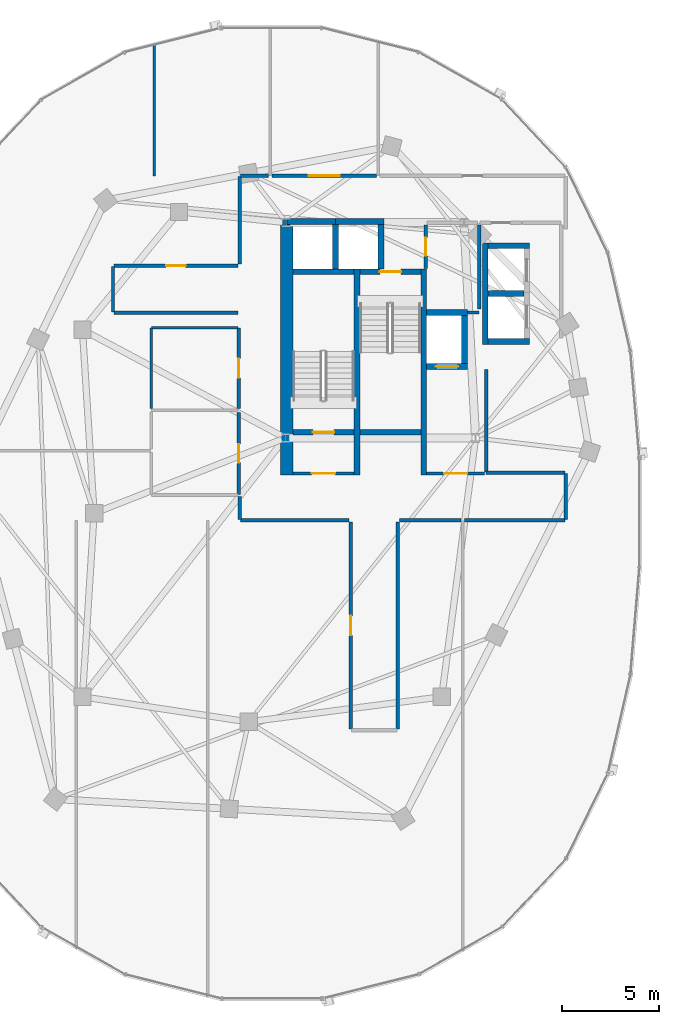
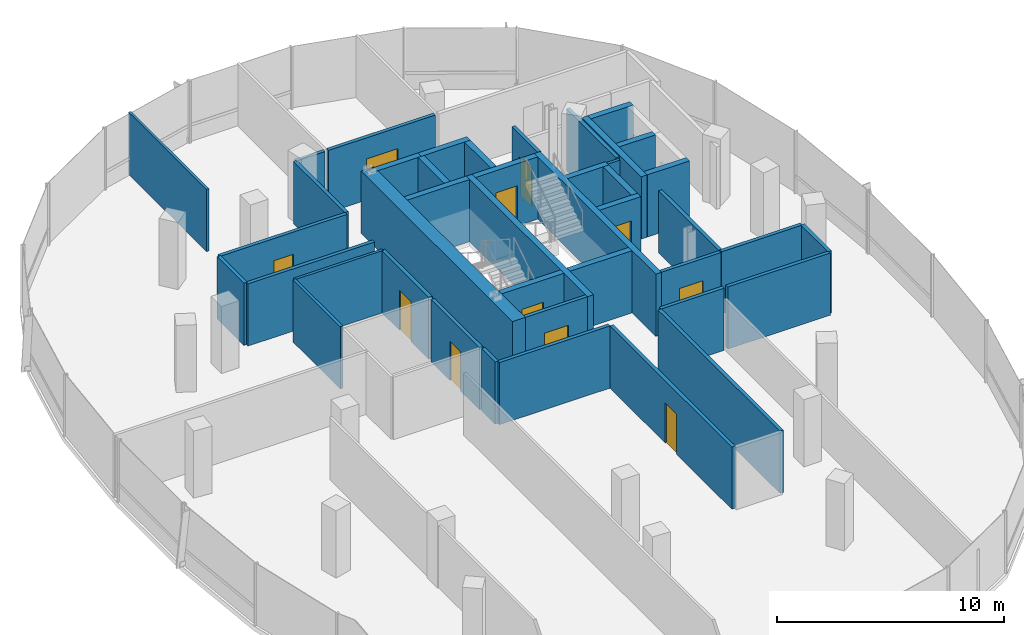
# One storey, part 15 of 25: 43 walls, 11 doors, 11 openings.
"""IFC4 building model written with IfcOpenShell, lengths in metres."""

from ifc_helpers import new_model, si_unit, direction, frame, frame_2d, origin, place, context, subcontext, project, spatial, rectangle, extrude, material, layer, layer_set, type_object, element, fill, save


model = new_model("IFC4")

# Units and contexts
model_context = context("Model", 3, precision=1e-05, world=origin(), true_north=direction((0.0, 1.0)))
body_context = subcontext(model_context, "Body", "Model", "MODEL_VIEW")
ifc_project = project(units=[si_unit("LENGTHUNIT", "METRE"), si_unit("AREAUNIT", "SQUARE_METRE"), si_unit("VOLUMEUNIT", "CUBIC_METRE"), si_unit("PLANEANGLEUNIT", "RADIAN"), si_unit("MASSUNIT", "GRAM", prefix="KILO"), si_unit("THERMODYNAMICTEMPERATUREUNIT", "KELVIN"), si_unit("POWERUNIT", "WATT")], contexts=[model_context])

# Site, building, storey
site_placement = place(None, origin())
site = spatial("IfcSite", under=ifc_project, at=site_placement, CompositionType="ELEMENT")
building_placement = place(site_placement, origin())
building = spatial("IfcBuilding", under=site, at=building_placement, Name="Cundina Bronze Exchange", CompositionType="ELEMENT")
storey_placement = place(building_placement, frame((0.0, 0.0, 195.39990234375)))
storey = spatial("IfcBuildingStorey", under=building, at=storey_placement, Name="L51", CompositionType="ELEMENT", Elevation=195.39990234375)

# Wall
ifc_material_1 = material(Name="Gypsum Fireboard Partition EI120")
ifc_layer_1 = layer(ifc_material_1, 0.179931640625, Name="Gypsum Fireboard Partition EI120")
ifc_layer_set_1 = layer_set([ifc_layer_1], Name="Gypsum Fireboard Partition EI120")
wall_type_1 = type_object("IfcWallType", Name="WL-COR-180", PredefinedType="PARTITIONING", material=ifc_layer_set_1)
wall_1_placement = place(storey_placement, frame((-20.889892578125, 2.14990234375, 0.0), z_axis=(0.0, 0.0, 1.0), x_axis=(0.0, 1.0, 0.0)))
element("IfcWall", 1, at=wall_1_placement, inside=storey, type_object=wall_type_1, Name="L51 W Firefighting Lobby Side Wall", PredefinedType="PARTITIONING", context=body_context, shape_type="SweptSolid", body=[
    extrude(rectangle(XDim=5.300048828125, YDim=0.179931640625, at=frame_2d((2.64990234375, 0.0))), origin(), (0.0, 0.0, 1.0), 3.340087890625),
])

# Wall, opening, door
wall_2_placement = place(storey_placement, frame((-23.97998046875, 2.06005859375, 0.0), z_axis=(0.0, 0.0, 1.0), x_axis=(1.0, 0.0, 0.0)))
wall_2 = element("IfcWall", 2, at=wall_2_placement, inside=storey, type_object=wall_type_1, Name="L51 W Firefighting Lobby Exit Wall", PredefinedType="PARTITIONING", context=body_context, shape_type="SweptSolid", body=[
    extrude(rectangle(XDim=3.0, YDim=0.179931640625, at=frame_2d((1.5, 0.0))), origin(), (0.0, 0.0, 1.0), 3.340087890625),
])
opening_1_placement = place(wall_2_placement, frame((0.89990234375, 0.0, 0.0)))
opening_1 = element("IfcOpeningElement", 3, at=opening_1_placement, cuts=wall_2, Name="Opening DF-01", PredefinedType="OPENING", context=body_context, shape_type="SweptSolid", body=[
    extrude(rectangle(XDim=1.199951171875, YDim=2.14990234375, at=frame_2d((0.60009765625, 1.074951171875))), frame((0.0, 0.099853515625, 0.0), z_axis=(0.0, -1.0, 0.0), x_axis=(1.0, 0.0, 0.0)), (0.0, 0.0, 1.0), 0.199951171875),
])
ifc_material_2 = material(Name="Steel ASTM A36 Painted", Category="steel")
door_type_1 = type_object("IfcDoorType", Name="DR-FFL-1200", OperationType="NOTDEFINED", PredefinedType="DOOR", material=ifc_material_2)
door_1_placement = place(opening_1_placement, origin())
door_1 = element("IfcDoor", 4, at=door_1_placement, inside=storey, type_object=door_type_1, Name="L51 W Firefighting Lobby Door", OperationType="SINGLE_SWING_RIGHT", OverallHeight=2.14990234375, OverallWidth=1.199951171875, PredefinedType="DOOR", context=body_context, shape_type="SweptSolid", body=[
    extrude(rectangle(XDim=1.199951171875, YDim=2.14990234375, at=frame_2d((0.60009765625, 1.074951171875))), frame((0.0, 0.02490234375, 0.0), z_axis=(0.0, -1.0, 0.0), x_axis=(1.0, 0.0, 0.0)), (0.0, 0.0, 1.0), 0.050048828125),
])
fill(opening_1, door_1)

wall_3_placement = place(storey_placement, frame((-30.89990234375, 2.06005859375, 0.0), z_axis=(0.0, 0.0, 1.0), x_axis=(1.0, 0.0, 0.0)))
wall_3 = element("IfcWall", 5, at=wall_3_placement, inside=storey, type_object=wall_type_1, Name="L51 W Stair Vestibule Exit Wall", PredefinedType="PARTITIONING", context=body_context, shape_type="SweptSolid", body=[
    extrude(rectangle(XDim=3.159912109375, YDim=0.179931640625, at=frame_2d((1.580078125, 0.0))), origin(), (0.0, 0.0, 1.0), 3.340087890625),
])
opening_2_placement = place(wall_3_placement, frame((0.97998046875, 0.0, 0.0)))
opening_2 = element("IfcOpeningElement", 6, at=opening_2_placement, cuts=wall_3, Name="Opening DF-01", PredefinedType="OPENING", context=body_context, shape_type="SweptSolid", body=[
    extrude(rectangle(XDim=1.199951171875, YDim=2.14990234375, at=frame_2d((0.60009765625, 1.074951171875))), frame((0.0, 0.099853515625, 0.0), z_axis=(0.0, -1.0, 0.0), x_axis=(1.0, 0.0, 0.0)), (0.0, 0.0, 1.0), 0.199951171875),
])
door_2_placement = place(opening_2_placement, origin())
door_2 = element("IfcDoor", 7, at=door_2_placement, inside=storey, type_object=door_type_1, Name="L51 W Stair Vestibule Door", OperationType="SINGLE_SWING_LEFT", OverallHeight=2.14990234375, OverallWidth=1.199951171875, PredefinedType="DOOR", context=body_context, shape_type="SweptSolid", body=[
    extrude(rectangle(XDim=1.199951171875, YDim=2.14990234375, at=frame_2d((0.60009765625, 1.074951171875))), frame((0.0, 0.02490234375, 0.0), z_axis=(0.0, -1.0, 0.0), x_axis=(1.0, 0.0, 0.0)), (0.0, 0.0, 1.0), 0.050048828125),
])
fill(opening_2, door_2)

# Wall
wall_4_placement = place(storey_placement, frame((-21.25, 10.570068359375, 0.0), z_axis=(0.0, 0.0, 1.0), x_axis=(0.0, 1.0, 0.0)))
element("IfcWall", 8, at=wall_4_placement, inside=storey, type_object=wall_type_1, Name="L51 Interior Partition 005", PredefinedType="PARTITIONING", context=body_context, shape_type="SweptSolid", body=[
    extrude(rectangle(XDim=4.35986328125, YDim=0.179931640625, at=frame_2d((2.179931640625, 0.0))), origin(), (0.0, 0.0, 1.0), 3.340087890625),
])

# Wall, opening, door
wall_5_placement = place(storey_placement, frame((-24.02001953125, 12.669921875, 0.0), z_axis=(0.0, 0.0, 1.0), x_axis=(0.0, 1.0, 0.0)))
wall_5 = element("IfcWall", 9, at=wall_5_placement, inside=storey, type_object=wall_type_1, Name="L51 Interior Partition 007", PredefinedType="PARTITIONING", context=body_context, shape_type="SweptSolid", body=[
    extrude(rectangle(XDim=2.260009765625, YDim=0.179931640625, at=frame_2d((1.1298828125, 0.0))), origin(), (0.0, 0.0, 1.0), 3.340087890625),
])
opening_3_placement = place(wall_5_placement, frame((0.655029296875, 0.0, 0.0)))
opening_3 = element("IfcOpeningElement", 10, at=opening_3_placement, cuts=wall_5, Name="Opening DW-01", PredefinedType="OPENING", context=body_context, shape_type="SweptSolid", body=[
    extrude(rectangle(XDim=0.949951171875, YDim=2.10009765625, at=frame_2d((0.47509765625, 1.050048828125))), frame((0.0, 0.099853515625, 0.0), z_axis=(0.0, -1.0, 0.0), x_axis=(1.0, 0.0, 0.0)), (0.0, 0.0, 1.0), 0.199951171875),
])
ifc_material_3 = material(Name="Solid Andean Oak Timber Grade A", Category="wood")
door_type_2 = type_object("IfcDoorType", Name="DR-WC-950", OperationType="NOTDEFINED", PredefinedType="DOOR", material=ifc_material_3)
door_3_placement = place(opening_3_placement, origin())
door_3 = element("IfcDoor", 11, at=door_3_placement, inside=storey, type_object=door_type_2, Name="L51 Interior Door 007", OperationType="SINGLE_SWING_LEFT", OverallHeight=2.10009765625, OverallWidth=0.949951171875, PredefinedType="DOOR", context=body_context, shape_type="SweptSolid", body=[
    extrude(rectangle(XDim=0.949951171875, YDim=2.10009765625, at=frame_2d((0.47509765625, 1.050048828125))), frame((0.0, 0.02490234375, 0.0), z_axis=(0.0, -1.0, 0.0), x_axis=(1.0, 0.0, 0.0)), (0.0, 0.0, 1.0), 0.050048828125),
])
fill(opening_3, door_3)

wall_6_placement = place(storey_placement, frame((-33.719970703125, 0.969970703125, 0.0), z_axis=(0.0, 0.0, 1.0), x_axis=(0.0, 1.0, 0.0)))
wall_6 = element("IfcWall", 12, at=wall_6_placement, inside=storey, type_object=wall_type_1, Name="L51 Interior Partition 014", PredefinedType="PARTITIONING", context=body_context, shape_type="SweptSolid", body=[
    extrude(rectangle(XDim=4.260009765625, YDim=0.179931640625, at=frame_2d((2.1298828125, 0.0))), origin(), (0.0, 0.0, 1.0), 3.340087890625),
])
opening_4_placement = place(wall_6_placement, frame((1.655029296875, 0.0, 0.0)))
opening_4 = element("IfcOpeningElement", 13, at=opening_4_placement, cuts=wall_6, Name="Opening DW-01", PredefinedType="OPENING", context=body_context, shape_type="SweptSolid", body=[
    extrude(rectangle(XDim=0.949951171875, YDim=2.10009765625, at=frame_2d((0.47509765625, 1.050048828125))), frame((0.0, 0.099853515625, 0.0), z_axis=(0.0, -1.0, 0.0), x_axis=(1.0, 0.0, 0.0)), (0.0, 0.0, 1.0), 0.199951171875),
])
door_4_placement = place(opening_4_placement, origin())
door_4 = element("IfcDoor", 14, at=door_4_placement, inside=storey, type_object=door_type_2, Name="L51 Interior Door 014", OperationType="SINGLE_SWING_LEFT", OverallHeight=2.10009765625, OverallWidth=0.949951171875, PredefinedType="DOOR", context=body_context, shape_type="SweptSolid", body=[
    extrude(rectangle(XDim=0.949951171875, YDim=2.10009765625, at=frame_2d((0.47509765625, 1.050048828125))), frame((0.0, 0.02490234375, 0.0), z_axis=(0.0, -1.0, 0.0), x_axis=(1.0, 0.0, 0.0)), (0.0, 0.0, 1.0), 0.050048828125),
])
fill(opening_4, door_4)

wall_7_placement = place(storey_placement, frame((-33.719970703125, 5.429931640625, 0.0), z_axis=(0.0, 0.0, 1.0), x_axis=(0.0, 1.0, 0.0)))
wall_7 = element("IfcWall", 15, at=wall_7_placement, inside=storey, type_object=wall_type_1, Name="L51 Interior Partition 015", PredefinedType="PARTITIONING", context=body_context, shape_type="SweptSolid", body=[
    extrude(rectangle(XDim=4.16015625, YDim=0.179931640625, at=frame_2d((2.080078125, 0.0))), origin(), (0.0, 0.0, 1.0), 3.340087890625),
])
opening_5_placement = place(wall_7_placement, frame((1.580078125, 0.0, 0.0)))
opening_5 = element("IfcOpeningElement", 16, at=opening_5_placement, cuts=wall_7, Name="Opening DO-01", PredefinedType="OPENING", context=body_context, shape_type="SweptSolid", body=[
    extrude(rectangle(XDim=1.0, YDim=2.14990234375, at=frame_2d((0.5, 1.074951171875))), frame((0.0, 0.099853515625, 0.0), z_axis=(0.0, -1.0, 0.0), x_axis=(1.0, 0.0, 0.0)), (0.0, 0.0, 1.0), 0.199951171875),
])
door_type_3 = type_object("IfcDoorType", Name="DR-OFF-1000", OperationType="NOTDEFINED", PredefinedType="DOOR", material=ifc_material_3)
door_5_placement = place(opening_5_placement, origin())
door_5 = element("IfcDoor", 17, at=door_5_placement, inside=storey, type_object=door_type_3, Name="L51 Interior Door 015", OperationType="SINGLE_SWING_LEFT", OverallHeight=2.14990234375, OverallWidth=1.0, PredefinedType="DOOR", context=body_context, shape_type="SweptSolid", body=[
    extrude(rectangle(XDim=1.0, YDim=2.14990234375, at=frame_2d((0.5, 1.074951171875))), frame((0.0, 0.02490234375, 0.0), z_axis=(0.0, -1.0, 0.0), x_axis=(1.0, 0.0, 0.0)), (0.0, 0.0, 1.0), 0.050048828125),
])
fill(opening_5, door_5)

wall_8_placement = place(storey_placement, frame((-27.919921875, -0.449951171875, 0.0), z_axis=(0.0, 0.0, 1.0), x_axis=(0.0, -1.0, 0.0)))
wall_8 = element("IfcWall", 18, at=wall_8_placement, inside=storey, type_object=wall_type_1, Name="L51 Interior Partition 023", PredefinedType="PARTITIONING", context=body_context, shape_type="SweptSolid", body=[
    extrude(rectangle(XDim=10.728515625, YDim=0.179931640625, at=frame_2d((5.3642578125, 0.0))), origin(), (0.0, 0.0, 1.0), 3.340087890625),
])
opening_6_placement = place(wall_8_placement, frame((4.8642578125, 0.0, 0.0)))
opening_6 = element("IfcOpeningElement", 19, at=opening_6_placement, cuts=wall_8, Name="Opening DO-01", PredefinedType="OPENING", context=body_context, shape_type="SweptSolid", body=[
    extrude(rectangle(XDim=1.0, YDim=2.14990234375, at=frame_2d((0.5, 1.074951171875))), frame((0.0, 0.099853515625, 0.0), z_axis=(0.0, -1.0, 0.0), x_axis=(1.0, 0.0, 0.0)), (0.0, 0.0, 1.0), 0.199951171875),
])
door_6_placement = place(opening_6_placement, origin())
door_6 = element("IfcDoor", 20, at=door_6_placement, inside=storey, type_object=door_type_3, Name="L51 Interior Door 023", OperationType="SINGLE_SWING_LEFT", OverallHeight=2.14990234375, OverallWidth=1.0, PredefinedType="DOOR", context=body_context, shape_type="SweptSolid", body=[
    extrude(rectangle(XDim=1.0, YDim=2.14990234375, at=frame_2d((0.5, 1.074951171875))), frame((0.0, 0.02490234375, 0.0), z_axis=(0.0, -1.0, 0.0), x_axis=(1.0, 0.0, 0.0)), (0.0, 0.0, 1.0), 0.050048828125),
])
fill(opening_6, door_6)

# Walls
wall_9_placement = place(storey_placement, frame((-25.47998046875, -11.178466796875, 0.0), z_axis=(0.0, 0.0, 1.0), x_axis=(0.0, 1.0, 0.0)))
element("IfcWall", 21, at=wall_9_placement, inside=storey, type_object=wall_type_1, Name="L51 Interior Partition 024", PredefinedType="PARTITIONING", context=body_context, shape_type="SweptSolid", body=[
    extrude(rectangle(XDim=10.728515625, YDim=0.179931640625, at=frame_2d((5.3642578125, 0.0))), origin(), (0.0, 0.0, 1.0), 3.340087890625),
])
wall_10_placement = place(storey_placement, frame((-33.62841796875, -0.3701171875, 0.0), z_axis=(0.0, 0.0, 1.0), x_axis=(1.0, 0.0, 0.0)))
element("IfcWall", 22, at=wall_10_placement, inside=storey, type_object=wall_type_1, Name="L51 Interior Partition 025", PredefinedType="PARTITIONING", context=body_context, shape_type="SweptSolid", body=[
    extrude(rectangle(XDim=5.62841796875, YDim=0.179931640625, at=frame_2d((2.814208984375, 0.0))), origin(), (0.0, 0.0, 1.0), 3.340087890625),
])
wall_11_placement = place(storey_placement, frame((-25.39990234375, -0.3701171875, 0.0), z_axis=(0.0, 0.0, 1.0), x_axis=(1.0, 0.0, 0.0)))
element("IfcWall", 23, at=wall_11_placement, inside=storey, type_object=wall_type_1, Name="L51 Interior Partition 026", PredefinedType="PARTITIONING", context=body_context, shape_type="SweptSolid", body=[
    extrude(rectangle(XDim=3.18994140625, YDim=0.179931640625, at=frame_2d((1.594970703125, 0.0))), origin(), (0.0, 0.0, 1.0), 3.340087890625),
])
wall_12_placement = place(storey_placement, frame((-33.669921875, 0.858642578125, 0.0), z_axis=(0.0, 0.0, 1.0), x_axis=(0.0, -1.0, 0.0)))
element("IfcWall", 24, at=wall_12_placement, inside=storey, type_object=wall_type_1, Name="L51 Interior Partition 028", PredefinedType="PARTITIONING", context=body_context, shape_type="SweptSolid", body=[
    extrude(rectangle(XDim=1.187255859375, YDim=0.179931640625, at=frame_2d((0.59375, 0.0))), origin(), (0.0, 0.0, 1.0), 3.340087890625),
])
wall_13_placement = place(storey_placement, frame((-22.030029296875, -0.3701171875, 0.0), z_axis=(0.0, 0.0, 1.0), x_axis=(1.0, 0.0, 0.0)))
element("IfcWall", 25, at=wall_13_placement, inside=storey, type_object=wall_type_1, Name="L51 Interior Partition 030", PredefinedType="PARTITIONING", context=body_context, shape_type="SweptSolid", body=[
    extrude(rectangle(XDim=5.20849609375, YDim=0.179931640625, at=frame_2d((2.604248046875, 0.0))), origin(), (0.0, 0.0, 1.0), 3.340087890625),
])
wall_14_placement = place(storey_placement, frame((-16.821533203125, 2.10009765625, 0.0), z_axis=(0.0, 0.0, 1.0), x_axis=(-1.0, 0.0, 0.0)))
element("IfcWall", 26, at=wall_14_placement, inside=storey, type_object=wall_type_1, Name="L51 Interior Partition 031", PredefinedType="PARTITIONING", context=body_context, shape_type="SweptSolid", body=[
    extrude(rectangle(XDim=4.098388671875, YDim=0.179931640625, at=frame_2d((2.04931640625, 0.0))), origin(), (0.0, 0.0, 1.0), 3.340087890625),
])
wall_15_placement = place(storey_placement, frame((-16.780029296875, -0.32861328125, 0.0), z_axis=(0.0, 0.0, 1.0), x_axis=(0.0, 1.0, 0.0)))
element("IfcWall", 27, at=wall_15_placement, inside=storey, type_object=wall_type_1, Name="L51 Interior Partition 033", PredefinedType="PARTITIONING", context=body_context, shape_type="SweptSolid", body=[
    extrude(rectangle(XDim=2.38720703125, YDim=0.179931640625, at=frame_2d((1.193603515625, 0.0))), origin(), (0.0, 0.0, 1.0), 3.340087890625),
])

# Wall, opening, door
wall_16_placement = place(storey_placement, frame((-33.75, 12.820068359375, 0.0), z_axis=(0.0, 0.0, 1.0), x_axis=(-1.0, 0.0, 0.0)))
wall_16 = element("IfcWall", 28, at=wall_16_placement, inside=storey, type_object=wall_type_1, Name="L51 Interior Partition 034", PredefinedType="PARTITIONING", context=body_context, shape_type="SweptSolid", body=[
    extrude(rectangle(XDim=6.428466796875, YDim=0.179931640625, at=frame_2d((3.21435546875, 0.0))), origin(), (0.0, 0.0, 1.0), 3.340087890625),
])
opening_7_placement = place(wall_16_placement, frame((2.714111328125, 0.0, 0.0)))
opening_7 = element("IfcOpeningElement", 29, at=opening_7_placement, cuts=wall_16, Name="Opening DO-01", PredefinedType="OPENING", context=body_context, shape_type="SweptSolid", body=[
    extrude(rectangle(XDim=1.0, YDim=2.14990234375, at=frame_2d((0.5, 1.074951171875))), frame((0.0, 0.099853515625, 0.0), z_axis=(0.0, -1.0, 0.0), x_axis=(1.0, 0.0, 0.0)), (0.0, 0.0, 1.0), 0.199951171875),
])
door_7_placement = place(opening_7_placement, origin())
door_7 = element("IfcDoor", 30, at=door_7_placement, inside=storey, type_object=door_type_3, Name="L51 Interior Door 034", OperationType="SINGLE_SWING_LEFT", OverallHeight=2.14990234375, OverallWidth=1.0, PredefinedType="DOOR", context=body_context, shape_type="SweptSolid", body=[
    extrude(rectangle(XDim=1.0, YDim=2.14990234375, at=frame_2d((0.5, 1.074951171875))), frame((0.0, 0.02490234375, 0.0), z_axis=(0.0, -1.0, 0.0), x_axis=(1.0, 0.0, 0.0)), (0.0, 0.0, 1.0), 0.050048828125),
])
fill(opening_7, door_7)

# Walls
wall_17_placement = place(storey_placement, frame((-40.178466796875, 10.3798828125, 0.0), z_axis=(0.0, 0.0, 1.0), x_axis=(1.0, 0.0, 0.0)))
element("IfcWall", 31, at=wall_17_placement, inside=storey, type_object=wall_type_1, Name="L51 Interior Partition 035", PredefinedType="PARTITIONING", context=body_context, shape_type="SweptSolid", body=[
    extrude(rectangle(XDim=6.428466796875, YDim=0.179931640625, at=frame_2d((3.21435546875, 0.0))), origin(), (0.0, 0.0, 1.0), 3.340087890625),
])
wall_18_placement = place(storey_placement, frame((-33.669921875, 17.428466796875, 0.0), z_axis=(0.0, 0.0, 1.0), x_axis=(0.0, -1.0, 0.0)))
element("IfcWall", 32, at=wall_18_placement, inside=storey, type_object=wall_type_1, Name="L51 Interior Partition 036", PredefinedType="PARTITIONING", context=body_context, shape_type="SweptSolid", body=[
    extrude(rectangle(XDim=4.528564453125, YDim=0.179931640625, at=frame_2d((2.26416015625, 0.0))), origin(), (0.0, 0.0, 1.0), 3.340087890625),
])
wall_19_placement = place(storey_placement, frame((-40.219970703125, 12.778564453125, 0.0), z_axis=(0.0, 0.0, 1.0), x_axis=(0.0, -1.0, 0.0)))
element("IfcWall", 33, at=wall_19_placement, inside=storey, type_object=wall_type_1, Name="L51 Interior Partition 037", PredefinedType="PARTITIONING", context=body_context, shape_type="SweptSolid", body=[
    extrude(rectangle(XDim=2.357177734375, YDim=0.179931640625, at=frame_2d((1.1787109375, 0.0))), origin(), (0.0, 0.0, 1.0), 3.340087890625),
])
wall_20_placement = place(storey_placement, frame((-32.169921875, 17.469970703125, 0.0), z_axis=(0.0, 0.0, 1.0), x_axis=(-1.0, 0.0, 0.0)))
element("IfcWall", 34, at=wall_20_placement, inside=storey, type_object=wall_type_1, Name="L51 Interior Partition 038", PredefinedType="PARTITIONING", context=body_context, shape_type="SweptSolid", body=[
    extrude(rectangle(XDim=1.45849609375, YDim=0.179931640625, at=frame_2d((0.729248046875, 0.0))), origin(), (0.0, 0.0, 1.0), 3.340087890625),
])

# Wall, opening, door
wall_21_placement = place(storey_placement, frame((-26.570068359375, 17.469970703125, 0.0), z_axis=(0.0, 0.0, 1.0), x_axis=(-1.0, 0.0, 0.0)))
wall_21 = element("IfcWall", 35, at=wall_21_placement, inside=storey, type_object=wall_type_1, Name="L51 Interior Partition 039", PredefinedType="PARTITIONING", context=body_context, shape_type="SweptSolid", body=[
    extrude(rectangle(XDim=5.419921875, YDim=0.179931640625, at=frame_2d((2.7099609375, 0.0))), origin(), (0.0, 0.0, 1.0), 3.340087890625),
])
opening_8_placement = place(wall_21_placement, frame((1.909912109375, 0.0, 0.0)))
opening_8 = element("IfcOpeningElement", 36, at=opening_8_placement, cuts=wall_21, Name="Opening DO-02", PredefinedType="OPENING", context=body_context, shape_type="SweptSolid", body=[
    extrude(rectangle(XDim=1.60009765625, YDim=2.199951171875, at=frame_2d((0.800048828125, 1.10009765625))), frame((0.0, 0.099853515625, 0.0), z_axis=(0.0, -1.0, 0.0), x_axis=(1.0, 0.0, 0.0)), (0.0, 0.0, 1.0), 0.199951171875),
])
door_type_4 = type_object("IfcDoorType", Name="DR-TRD-1600", OperationType="NOTDEFINED", PredefinedType="DOOR", material=ifc_material_3)
door_8_placement = place(opening_8_placement, origin())
door_8 = element("IfcDoor", 37, at=door_8_placement, inside=storey, type_object=door_type_4, Name="L51 Interior Door 039", OperationType="SINGLE_SWING_RIGHT", OverallHeight=2.199951171875, OverallWidth=1.60009765625, PredefinedType="DOOR", context=body_context, shape_type="SweptSolid", body=[
    extrude(rectangle(XDim=1.60009765625, YDim=2.199951171875, at=frame_2d((0.800048828125, 1.10009765625))), frame((0.0, 0.02490234375, 0.0), z_axis=(0.0, -1.0, 0.0), x_axis=(1.0, 0.0, 0.0)), (0.0, 0.0, 1.0), 0.050048828125),
])
fill(opening_8, door_8)

# Walls
ifc_material_4 = material(Name="Concrete C50/60", Category="concrete")
ifc_layer_2 = layer(ifc_material_4, 0.64990234375, Name="Concrete C50/60", Category="concrete")
ifc_layer_set_2 = layer_set([ifc_layer_2], Name="Concrete C50/60")
wall_type_2 = type_object("IfcWallType", Name="WL-CORE-650", PredefinedType="SHEAR", material=ifc_layer_set_2)
wall_22_placement = place(storey_placement, frame((-31.22509765625, 1.969970703125, 0.0), z_axis=(0.0, 0.0, 1.0), x_axis=(0.0, 1.0, 0.0)))
element("IfcWall", 38, at=wall_22_placement, inside=storey, type_object=wall_type_2, Name="L51 W Primary Core Shear Spine Wall", PredefinedType="SHEAR", context=body_context, shape_type="SweptSolid", body=[
    extrude(rectangle(XDim=13.330078125, YDim=0.64990234375, at=frame_2d((6.6650390625, 0.0))), origin(), (0.0, 0.0, 1.0), 3.340087890625),
])
ifc_material_5 = material(Name="Gypsum Acoustic Partition EI60")
ifc_layer_3 = layer(ifc_material_5, 0.125, Name="Gypsum Acoustic Partition EI60")
ifc_layer_set_3 = layer_set([ifc_layer_3], Name="Gypsum Acoustic Partition EI60")
wall_type_3 = type_object("IfcWallType", Name="WL-OFF-125", PredefinedType="PARTITIONING", material=ifc_layer_set_3)
wall_23_placement = place(storey_placement, frame((-38.080078125, 17.469970703125, 0.0), z_axis=(0.0, 0.0, 1.0), x_axis=(0.0, 1.0, 0.0)))
element("IfcWall", 39, at=wall_23_placement, inside=storey, type_object=wall_type_3, Name="L51 Interior Partition 020", PredefinedType="PARTITIONING", context=body_context, shape_type="SweptSolid", body=[
    extrude(rectangle(XDim=6.85009765625, YDim=0.125, at=frame_2d((3.425048828125, 0.0))), origin(), (0.0, 0.0, 1.0), 3.340087890625),
])
ifc_layer_4 = layer(ifc_material_4, 0.300048828125, Name="Concrete C50/60", Category="concrete")
ifc_layer_set_4 = layer_set([ifc_layer_4], Name="Concrete C50/60")
wall_type_4 = type_object("IfcWallType", Name="WL-SHFT-300", PredefinedType="SHEAR", material=ifc_layer_set_4)
for number, where, z_axis, x_axis, name in (
    (40, (-27.590087890625, 1.969970703125, 0.0), (0.0, 0.0, 1.0), (0.0, 1.0, 0.0), "L51 W Stair Shaft Dividing Shear Wall"),
    (41, (-24.1298828125, 1.969970703125, 0.0), (0.0, 0.0, 1.0), (0.0, 1.0, 0.0), "L51 W Stair 2 East Shear Wall"),
):
    element("IfcWall", number, at=place(storey_placement, frame(where, z_axis=z_axis, x_axis=x_axis)), inside=storey, type_object=wall_type_4, Name=name, PredefinedType="SHEAR", context=body_context, shape_type="SweptSolid", body=[
        extrude(rectangle(XDim=10.679931640625, YDim=0.300048828125, at=frame_2d((5.33984375, 0.0))), origin(), (0.0, 0.0, 1.0), 3.340087890625),
    ])

# Wall, opening, door
wall_24_placement = place(storey_placement, frame((-30.89990234375, 4.199951171875, 0.0), z_axis=(0.0, 0.0, 1.0), x_axis=(1.0, 0.0, 0.0)))
wall_24 = element("IfcWall", 42, at=wall_24_placement, inside=storey, type_object=wall_type_4, Name="L51 Stair W1 Landing Wall", PredefinedType="SHEAR", context=body_context, shape_type="SweptSolid", body=[
    extrude(rectangle(XDim=3.159912109375, YDim=0.300048828125, at=frame_2d((1.580078125, 0.0))), origin(), (0.0, 0.0, 1.0), 3.340087890625),
])
opening_9_placement = place(wall_24_placement, frame((1.030029296875, 0.0, 0.0)))
opening_9 = element("IfcOpeningElement", 43, at=opening_9_placement, cuts=wall_24, Name="Opening DS-01", PredefinedType="OPENING", context=body_context, shape_type="SweptSolid", body=[
    extrude(rectangle(XDim=1.10009765625, YDim=2.14990234375, at=frame_2d((0.550048828125, 1.074951171875))), frame((0.0, 0.159912109375, 0.0), z_axis=(0.0, -1.0, 0.0), x_axis=(1.0, 0.0, 0.0)), (0.0, 0.0, 1.0), 0.320068359375),
])
door_type_5 = type_object("IfcDoorType", Name="DR-STR-1100", OperationType="NOTDEFINED", PredefinedType="DOOR", material=ifc_material_2)
door_9_placement = place(opening_9_placement, origin())
door_9 = element("IfcDoor", 44, at=door_9_placement, inside=storey, type_object=door_type_5, Name="L51 Smokeproof Stair W1 Door", OperationType="SINGLE_SWING_RIGHT", OverallHeight=2.14990234375, OverallWidth=1.10009765625, PredefinedType="DOOR", context=body_context, shape_type="SweptSolid", body=[
    extrude(rectangle(XDim=1.10009765625, YDim=2.14990234375, at=frame_2d((0.550048828125, 1.074951171875))), frame((0.0, 0.02490234375, 0.0), z_axis=(0.0, -1.0, 0.0), x_axis=(1.0, 0.0, 0.0)), (0.0, 0.0, 1.0), 0.050048828125),
])
fill(opening_9, door_9)

# Wall
wall_25_placement = place(storey_placement, frame((-30.89990234375, 12.5, 0.0), z_axis=(0.0, 0.0, 1.0), x_axis=(1.0, 0.0, 0.0)))
element("IfcWall", 45, at=wall_25_placement, inside=storey, type_object=wall_type_4, Name="L51 Stair W1 Far Shaft Wall", PredefinedType="SHEAR", context=body_context, shape_type="SweptSolid", body=[
    extrude(rectangle(XDim=3.159912109375, YDim=0.300048828125, at=frame_2d((1.580078125, 0.0))), origin(), (0.0, 0.0, 1.0), 3.340087890625),
])

# Wall, opening, door
wall_26_placement = place(storey_placement, frame((-27.43994140625, 12.5, 0.0), z_axis=(0.0, 0.0, 1.0), x_axis=(1.0, 0.0, 0.0)))
wall_26 = element("IfcWall", 46, at=wall_26_placement, inside=storey, type_object=wall_type_4, Name="L51 Stair W2 Landing Wall", PredefinedType="SHEAR", context=body_context, shape_type="SweptSolid", body=[
    extrude(rectangle(XDim=3.159912109375, YDim=0.300048828125, at=frame_2d((1.580078125, 0.0))), origin(), (0.0, 0.0, 1.0), 3.340087890625),
])
opening_10_placement = place(wall_26_placement, frame((1.030029296875, 0.0, 0.0)))
opening_10 = element("IfcOpeningElement", 47, at=opening_10_placement, cuts=wall_26, Name="Opening DS-01", PredefinedType="OPENING", context=body_context, shape_type="SweptSolid", body=[
    extrude(rectangle(XDim=1.10009765625, YDim=2.14990234375, at=frame_2d((0.550048828125, 1.074951171875))), frame((0.0, 0.159912109375, 0.0), z_axis=(0.0, -1.0, 0.0), x_axis=(1.0, 0.0, 0.0)), (0.0, 0.0, 1.0), 0.320068359375),
])
door_10_placement = place(opening_10_placement, origin())
door_10 = element("IfcDoor", 48, at=door_10_placement, inside=storey, type_object=door_type_5, Name="L51 Smokeproof Stair W2 Door", OperationType="SINGLE_SWING_LEFT", OverallHeight=2.14990234375, OverallWidth=1.10009765625, PredefinedType="DOOR", context=body_context, shape_type="SweptSolid", body=[
    extrude(rectangle(XDim=1.10009765625, YDim=2.14990234375, at=frame_2d((0.550048828125, 1.074951171875))), frame((0.0, 0.02490234375, 0.0), z_axis=(0.0, -1.0, 0.0), x_axis=(1.0, 0.0, 0.0)), (0.0, 0.0, 1.0), 0.050048828125),
])
fill(opening_10, door_10)

# Wall
wall_27_placement = place(storey_placement, frame((-27.43994140625, 4.199951171875, 0.0), z_axis=(0.0, 0.0, 1.0), x_axis=(1.0, 0.0, 0.0)))
element("IfcWall", 49, at=wall_27_placement, inside=storey, type_object=wall_type_4, Name="L51 Stair W2 Far Shaft Wall", PredefinedType="SHEAR", context=body_context, shape_type="SweptSolid", body=[
    extrude(rectangle(XDim=3.159912109375, YDim=0.300048828125, at=frame_2d((1.580078125, 0.0))), origin(), (0.0, 0.0, 1.0), 3.340087890625),
])

# Wall, opening, door
wall_28_placement = place(storey_placement, frame((-23.97998046875, 7.60009765625, 0.0), z_axis=(0.0, 0.0, 1.0), x_axis=(1.0, 0.0, 0.0)))
wall_28 = element("IfcWall", 50, at=wall_28_placement, inside=storey, type_object=wall_type_4, Name="L51 FFL-W Hoistway Front Wall", PredefinedType="SHEAR", context=body_context, shape_type="SweptSolid", body=[
    extrude(rectangle(XDim=2.10009765625, YDim=0.300048828125, at=frame_2d((1.050048828125, 0.0))), origin(), (0.0, 0.0, 1.0), 3.340087890625),
])
opening_11_placement = place(wall_28_placement, frame((0.47509765625, 0.0, 0.0)))
opening_11 = element("IfcOpeningElement", 51, at=opening_11_placement, cuts=wall_28, Name="Opening LD-01", PredefinedType="OPENING", context=body_context, shape_type="SweptSolid", body=[
    extrude(rectangle(XDim=1.14990234375, YDim=2.199951171875, at=frame_2d((0.574951171875, 1.10009765625))), frame((0.0, 0.159912109375, 0.0), z_axis=(0.0, -1.0, 0.0), x_axis=(1.0, 0.0, 0.0)), (0.0, 0.0, 1.0), 0.320068359375),
])
door_type_6 = type_object("IfcDoorType", Name="DR-LND-1150", OperationType="NOTDEFINED", PredefinedType="TRAPDOOR", material=ifc_material_2)
door_11_placement = place(opening_11_placement, origin())
door_11 = element("IfcDoor", 52, at=door_11_placement, inside=storey, type_object=door_type_6, Name="L51 FFL-W Sliding Landing Door", OperationType="SLIDING_TO_LEFT", OverallHeight=2.199951171875, OverallWidth=1.14990234375, PredefinedType="TRAPDOOR", context=body_context, shape_type="SweptSolid", body=[
    extrude(rectangle(XDim=1.14990234375, YDim=2.199951171875, at=frame_2d((0.574951171875, 1.10009765625))), frame((0.0, 0.02490234375, 0.0), z_axis=(0.0, -1.0, 0.0), x_axis=(1.0, 0.0, 0.0)), (0.0, 0.0, 1.0), 0.050048828125),
])
fill(opening_11, door_11)

# Walls
wall_29_placement = place(storey_placement, frame((-23.97998046875, 10.39990234375, 0.0), z_axis=(0.0, 0.0, 1.0), x_axis=(1.0, 0.0, 0.0)))
element("IfcWall", 53, at=wall_29_placement, inside=storey, type_object=wall_type_4, Name="L51 FFL-W Hoistway Back Wall", PredefinedType="SHEAR", context=body_context, shape_type="SweptSolid", body=[
    extrude(rectangle(XDim=2.10009765625, YDim=0.300048828125, at=frame_2d((1.050048828125, 0.0))), origin(), (0.0, 0.0, 1.0), 3.340087890625),
])
for number, where, z_axis, x_axis, name in (
    (54, (-22.030029296875, 7.75, 0.0), (0.0, 0.0, 1.0), (0.0, 1.0, 0.0), "L51 FFL-W Hoistway Side Wall"),
    (55, (-31.199951171875, 15.10009765625, 0.0), (0.0, 0.0, 1.0), (1.0, 0.0, 0.0), "L51 PH-W1 Hoistway Front Wall"),
):
    element("IfcWall", number, at=place(storey_placement, frame(where, z_axis=z_axis, x_axis=x_axis)), inside=storey, type_object=wall_type_4, Name=name, PredefinedType="SHEAR", context=body_context, shape_type="SweptSolid", body=[
        extrude(rectangle(XDim=2.5, YDim=0.300048828125, at=frame_2d((1.25, 0.0))), origin(), (0.0, 0.0, 1.0), 3.340087890625),
    ])
wall_30_placement = place(storey_placement, frame((-28.699951171875, 12.64990234375, 0.0), z_axis=(0.0, 0.0, 1.0), x_axis=(0.0, 1.0, 0.0)))
element("IfcWall", 56, at=wall_30_placement, inside=storey, type_object=wall_type_4, Name="L51 PH-W1 Hoistway Divider Wall", PredefinedType="SHEAR", context=body_context, shape_type="SweptSolid", body=[
    extrude(rectangle(XDim=2.300048828125, YDim=0.300048828125, at=frame_2d((1.14990234375, 0.0))), origin(), (0.0, 0.0, 1.0), 3.340087890625),
])
wall_31_placement = place(storey_placement, frame((-28.699951171875, 15.10009765625, 0.0), z_axis=(0.0, 0.0, 1.0), x_axis=(1.0, 0.0, 0.0)))
element("IfcWall", 57, at=wall_31_placement, inside=storey, type_object=wall_type_4, Name="L51 PH-W2 Hoistway Front Wall", PredefinedType="SHEAR", context=body_context, shape_type="SweptSolid", body=[
    extrude(rectangle(XDim=2.5, YDim=0.300048828125, at=frame_2d((1.25, 0.0))), origin(), (0.0, 0.0, 1.0), 3.340087890625),
])
wall_32_placement = place(storey_placement, frame((-26.35009765625, 12.64990234375, 0.0), z_axis=(0.0, 0.0, 1.0), x_axis=(0.0, 1.0, 0.0)))
element("IfcWall", 58, at=wall_32_placement, inside=storey, type_object=wall_type_4, Name="L51 PH-W2 Hoistway Divider Wall", PredefinedType="SHEAR", context=body_context, shape_type="SweptSolid", body=[
    extrude(rectangle(XDim=2.300048828125, YDim=0.300048828125, at=frame_2d((1.14990234375, 0.0))), origin(), (0.0, 0.0, 1.0), 3.340087890625),
])
wall_33_placement = place(storey_placement, frame((-20.949951171875, 8.75, 0.0), z_axis=(0.0, 0.0, 1.0), x_axis=(0.0, 1.0, 0.0)))
element("IfcWall", 59, at=wall_33_placement, inside=storey, type_object=wall_type_4, Name="L51 W Passenger Bank Hoistway Back Wall", PredefinedType="SHEAR", context=body_context, shape_type="SweptSolid", body=[
    extrude(rectangle(XDim=5.25, YDim=0.300048828125, at=frame_2d((2.625, 0.0))), origin(), (0.0, 0.0, 1.0), 3.340087890625),
])
for number, where, z_axis, x_axis, name in (
    (60, (-20.800048828125, 8.89990234375, 0.0), (0.0, 0.0, 1.0), (1.0, 0.0, 0.0), "L51 W Passenger Bank South Cap Wall"),
    (61, (-20.800048828125, 13.85009765625, 0.0), (0.0, 0.0, 1.0), (1.0, 0.0, 0.0), "L51 W Passenger Bank North Cap Wall"),
):
    element("IfcWall", number, at=place(storey_placement, frame(where, z_axis=z_axis, x_axis=x_axis)), inside=storey, type_object=wall_type_4, Name=name, PredefinedType="SHEAR", context=body_context, shape_type="SweptSolid", body=[
        extrude(rectangle(XDim=2.150146484375, YDim=0.300048828125, at=frame_2d((1.0751953125, 0.0))), origin(), (0.0, 0.0, 1.0), 3.340087890625),
    ])
wall_34_placement = place(storey_placement, frame((-20.800048828125, 11.375, 0.0), z_axis=(0.0, 0.0, 1.0), x_axis=(1.0, 0.0, 0.0)))
element("IfcWall", 62, at=wall_34_placement, inside=storey, type_object=wall_type_4, Name="L51 W Passenger Hoistway Divider 1", PredefinedType="SHEAR", context=body_context, shape_type="SweptSolid", body=[
    extrude(rectangle(XDim=1.85009765625, YDim=0.300048828125, at=frame_2d((0.925048828125, 0.0))), origin(), (0.0, 0.0, 1.0), 3.340087890625),
])
ifc_material_6 = material(Name="Moisture-Resistant Masonry Block Grade M15", Category="masonry")
ifc_layer_5 = layer(ifc_material_6, 0.139892578125, Name="Moisture-Resistant Masonry Block Grade M15", Category="masonry")
ifc_layer_set_5 = layer_set([ifc_layer_5], Name="Moisture-Resistant Masonry Block Grade M15")
wall_type_5 = type_object("IfcWallType", Name="WL-WET-140", PredefinedType="PARTITIONING", material=ifc_layer_set_5)
wall_35_placement = place(storey_placement, frame((-21.860107421875, 10.39990234375, 0.0), z_axis=(0.0, 0.0, 1.0), x_axis=(1.0, 0.0, 0.0)))
element("IfcWall", 63, at=wall_35_placement, inside=storey, type_object=wall_type_5, Name="L51 Interior Partition 004", PredefinedType="PARTITIONING", context=body_context, shape_type="SweptSolid", body=[
    extrude(rectangle(XDim=0.590087890625, YDim=0.139892578125, at=frame_2d((0.294921875, 0.0))), origin(), (0.0, 0.0, 1.0), 3.340087890625),
])
wall_36_placement = place(storey_placement, frame((-38.239990234375, 5.4150390625, 0.0), z_axis=(0.0, 0.0, 1.0), x_axis=(0.0, 1.0, 0.0)))
element("IfcWall", 64, at=wall_36_placement, inside=storey, type_object=wall_type_5, Name="L51 Interior Partition 010", PredefinedType="PARTITIONING", context=body_context, shape_type="SweptSolid", body=[
    extrude(rectangle(XDim=4.175048828125, YDim=0.139892578125, at=frame_2d((2.08740234375, 0.0))), origin(), (0.0, 0.0, 1.0), 3.340087890625),
])
wall_37_placement = place(storey_placement, frame((-38.219970703125, 9.610107421875, 0.0), z_axis=(0.0, 0.0, 1.0), x_axis=(1.0, 0.0, 0.0)))
element("IfcWall", 65, at=wall_37_placement, inside=storey, type_object=wall_type_5, Name="L51 Interior Partition 013", PredefinedType="PARTITIONING", context=body_context, shape_type="SweptSolid", body=[
    extrude(rectangle(XDim=4.47998046875, YDim=0.139892578125, at=frame_2d((2.239990234375, 0.0))), origin(), (0.0, 0.0, 1.0), 3.340087890625),
])

save(model, "model.ifc")
